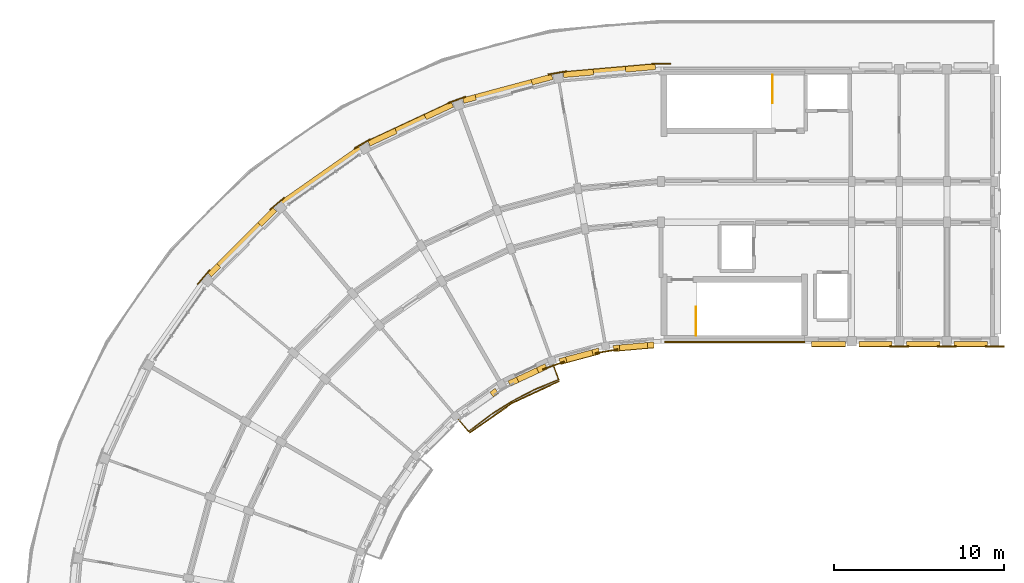
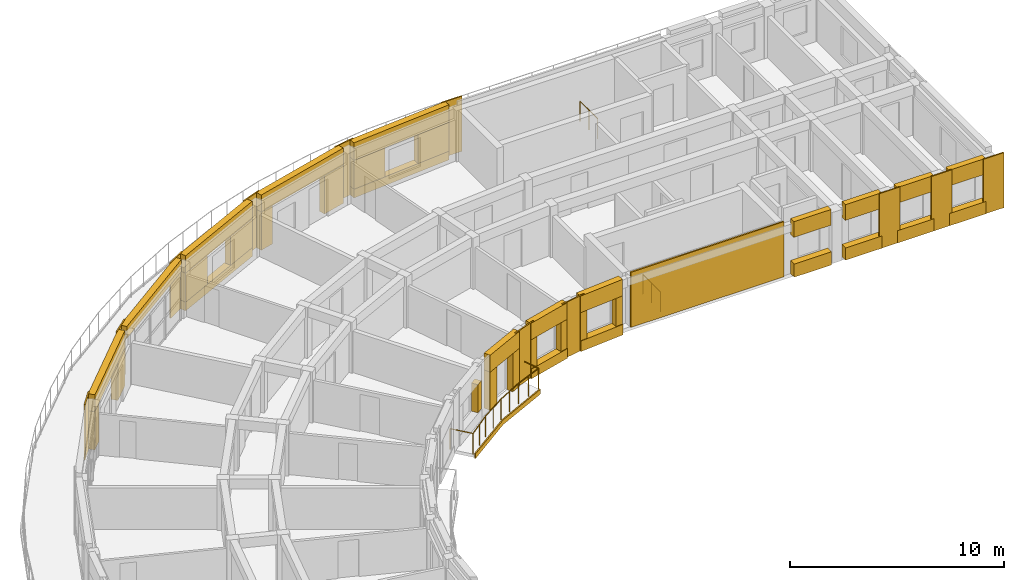
# One storey, part 13 of 14: 48 coverings, 3 railings.
"""IFC4 building model written with IfcOpenShell, lengths in metres."""

import ifcopenshell
import ifcopenshell.guid

model = None  # the IFC model being written
_history = None  # IfcOwnerHistory: only IFC2X3 demands one
_inside = {}  # id of a spatial element -> (the spatial element, [elements in it])
_under = {}  # id of a project, library or spatial element -> (it, [spatial elements below it])
_declared = {}  # id of a project -> (the project, [libraries it declares])
_typed = {}  # id of a type object -> (the type object, [elements of that type])
_made_of = {}  # id of a material, layer set ... -> (it, [elements and type objects made of it])


def new_model(schema):
    """Start an empty IFC model of exactly this schema.

    Asked for "IFC4X3", IfcOpenShell would pick the latest addendum, in which some entities
    have other attributes; the version numbers below select the first issue.
    IFC2X3 requires an IfcOwnerHistory on every rooted entity: one is made here for all.
    """
    global model, _history
    if schema == "IFC4X3":
        model = ifcopenshell.file(schema_version=(4, 3, 0, 0))
    else:
        model = ifcopenshell.file(schema=schema)
    _inside.clear()
    _under.clear()
    _declared.clear()
    _typed.clear()
    _made_of.clear()
    _history = None
    if model.schema == "IFC2X3":
        org = make("IfcOrganization", Name="unknown")
        user = make(
            "IfcPersonAndOrganization",
            ThePerson=make("IfcPerson", FamilyName="unknown"),
            TheOrganization=org,
        )
        app = make(
            "IfcApplication",
            ApplicationDeveloper=org,
            Version="unknown",
            ApplicationFullName="unknown",
            ApplicationIdentifier="unknown",
        )
        _history = make(
            "IfcOwnerHistory",
            OwningUser=user,
            OwningApplication=app,
            ChangeAction="ADDED",
            CreationDate=0,
        )
    return model


def make(cls, **values):
    """One entity of the class cls with the attributes given. An attribute that is None is left unset."""
    return model.create_entity(
        cls, **{name: value for name, value in values.items() if value is not None}
    )


def rooted(cls, **values):
    """An entity with a GlobalId (a new one), such as an element, a storey or a relation."""
    return make(cls, GlobalId=ifcopenshell.guid.new(), OwnerHistory=_history, **values)


def si_unit(unit_type, name, prefix=None):
    """IfcSIUnit, for example si_unit("LENGTHUNIT", "METRE", prefix="MILLI")."""
    return make("IfcSIUnit", UnitType=unit_type, Prefix=prefix, Name=name)


def assignment(units):
    """IfcUnitAssignment: the units of a project."""
    return None if units is None else make("IfcUnitAssignment", Units=units)


def point(xyz):
    """IfcCartesianPoint."""
    return None if xyz is None else make("IfcCartesianPoint", Coordinates=xyz)


def direction(xyz):
    """IfcDirection."""
    return None if xyz is None else make("IfcDirection", DirectionRatios=xyz)


def frame(location, z_axis=None, x_axis=None):
    """IfcAxis2Placement3D, a coordinate frame: its origin and axes. An axis left out is left unset."""
    return make(
        "IfcAxis2Placement3D",
        Location=point(location),
        Axis=direction(z_axis),
        RefDirection=direction(x_axis),
    )


def frame_2d(location, x_axis=None):
    """IfcAxis2Placement2D, a coordinate frame in the plane: its origin and x axis."""
    return make(
        "IfcAxis2Placement2D", Location=point(location), RefDirection=direction(x_axis)
    )


def origin():
    """The frame at (0, 0, 0) with its axes left unset."""
    return frame((0.0, 0.0, 0.0))


def origin_2d():
    """The frame at (0, 0) in the plane with its x axis left unset."""
    return frame_2d((0.0, 0.0))


def place(relative_to, where):
    """IfcLocalPlacement: puts the frame where relative to a parent placement (None: the world)."""
    return make(
        "IfcLocalPlacement", PlacementRelTo=relative_to, RelativePlacement=where
    )


def context(
    kind, dimensions, precision=None, world=None, true_north=None, identifier=None
):
    """IfcGeometricRepresentationContext, for example the 3D "Model" context."""
    return make(
        "IfcGeometricRepresentationContext",
        ContextIdentifier=identifier,
        ContextType=kind,
        CoordinateSpaceDimension=dimensions,
        Precision=precision,
        WorldCoordinateSystem=world,
        TrueNorth=true_north,
    )


def subcontext(parent, identifier, kind, view, scale=None):
    """IfcGeometricRepresentationSubContext, for example "Body" below "Model"."""
    return make(
        "IfcGeometricRepresentationSubContext",
        ContextIdentifier=identifier,
        ContextType=kind,
        ParentContext=parent,
        TargetScale=scale,
        TargetView=view,
    )


def project(units=None, contexts=None):
    """IfcProject with its units and contexts."""
    return rooted(
        "IfcProject",
        Name="project",
        RepresentationContexts=contexts,
        UnitsInContext=assignment(units),
    )


def spatial(cls, under=None, at=None, **own):
    """A site, building, storey or space (cls), placed at a placement, below another one or the project."""
    s = rooted(cls, ObjectPlacement=at, **own)
    if under is not None:
        _under.setdefault(under.id(), (under, []))[1].append(s)
    return s


def polyline(points):
    """IfcPolyline through the points."""
    return make("IfcPolyline", Points=[point(p) for p in points])


def profile(cls, at=None, kind="AREA", **sizes):
    """A parametric profile (cls). Its sizes go by their IFC names, for example OverallWidth=200.0."""
    return make(cls, ProfileType=kind, Position=at, **sizes)


def circle(**sizes):
    """IfcCircleProfileDef."""
    return profile("IfcCircleProfileDef", **sizes)


def outline(outer, holes=None, kind="AREA"):
    """IfcArbitraryClosedProfileDef: a profile drawn as a closed curve; with holes, ...WithVoids."""
    if holes is None:
        return make("IfcArbitraryClosedProfileDef", ProfileType=kind, OuterCurve=outer)
    return make(
        "IfcArbitraryProfileDefWithVoids",
        ProfileType=kind,
        OuterCurve=outer,
        InnerCurves=holes,
    )


def extrude(swept, where, along, depth):
    """IfcExtrudedAreaSolid: the profile swept, set in the frame where, extruded along a direction by depth."""
    return make(
        "IfcExtrudedAreaSolid",
        SweptArea=swept,
        Position=where,
        ExtrudedDirection=direction(along),
        Depth=depth,
    )


def shape(context_of_items, identifier, shape_type, items):
    """IfcShapeRepresentation: the items that make up one representation, for example the "Body"."""
    return make(
        "IfcShapeRepresentation",
        ContextOfItems=context_of_items,
        RepresentationIdentifier=identifier,
        RepresentationType=shape_type,
        Items=items,
    )


def material(Name=None, Category=None):
    """IfcMaterial."""
    return make("IfcMaterial", Name=Name, Category=Category)


def layer(
    of_material, thickness, ventilated=None, Name=None, Category=None, Priority=None
):
    """IfcMaterialLayer: one layer of a wall or slab, of a material (None: an air gap)."""
    return make(
        "IfcMaterialLayer",
        Material=of_material,
        LayerThickness=thickness,
        IsVentilated=ventilated,
        Name=Name,
        Category=Category,
        Priority=Priority,
    )


def layer_set(layers, Name=None):
    """IfcMaterialLayerSet."""
    return make("IfcMaterialLayerSet", MaterialLayers=layers, LayerSetName=Name)


def made_of(thing, what):
    """Note that an element or type object is made of a material, layer set ...; save() writes the relation."""
    if what is not None:
        _made_of.setdefault(what.id(), (what, []))[1].append(thing)
    return thing


def type_object(cls, material=None, **own):
    """A type object (cls), such as IfcWallType, which elements share."""
    return made_of(rooted(cls, **own), material)


def element(
    cls,
    number,
    at=None,
    inside=None,
    cuts=None,
    type_object=None,
    material=None,
    context=None,
    identifier="Body",
    shape_type=None,
    held_by="IfcProductDefinitionShape",
    body=None,
    shapes=None,
    **own,
):
    """One element of the class cls, such as IfcWall. Its Tag is "e" and its number.

    at: its placement. inside: the storey or other place that contains it. cuts: it is an
    opening in that element (IfcRelVoidsElement). A single representation is given by context,
    identifier, shape_type and body (its items); several are given by shapes. held_by: the class
    of the entity that holds the representations. save() writes the other relations.
    """
    e = rooted(cls, Tag="e%d" % number, ObjectPlacement=at, **own)
    if body is not None:
        shapes = [shape(context, identifier, shape_type, body)]
    if shapes is not None:
        e.Representation = make(held_by, Representations=shapes)
    if inside is not None:
        _inside.setdefault(inside.id(), (inside, []))[1].append(e)
    if cuts is not None:
        rooted(
            "IfcRelVoidsElement", RelatingBuildingElement=cuts, RelatedOpeningElement=e
        )
    if type_object is not None:
        _typed.setdefault(type_object.id(), (type_object, []))[1].append(e)
    return made_of(e, material)


def aggregate(whole, parts):
    """IfcRelAggregates: a whole, such as a stair, and the parts it consists of."""
    return rooted("IfcRelAggregates", RelatingObject=whole, RelatedObjects=parts)


def save(model, path):
    """Write the relations noted so far, then the file.

    IfcRelAggregates (storeys below a building ...), IfcRelContainedInSpatialStructure (elements
    in a storey), IfcRelDefinesByType, IfcRelAssociatesMaterial and IfcRelDeclares: one each for
    every whole, place, type object, material and project.
    """
    for whole, parts in _under.values():
        aggregate(whole, parts)
    for where, things in _inside.values():
        rooted(
            "IfcRelContainedInSpatialStructure",
            RelatedElements=things,
            RelatingStructure=where,
        )
    for kind, things in _typed.values():
        rooted("IfcRelDefinesByType", RelatedObjects=things, RelatingType=kind)
    for what, things in _made_of.values():
        rooted("IfcRelAssociatesMaterial", RelatedObjects=things, RelatingMaterial=what)
    for by, libraries in _declared.values():
        rooted("IfcRelDeclares", RelatingContext=by, RelatedDefinitions=libraries)
    model.write(path)


model = new_model("IFC4")

# Units and contexts
model_context = context("Model", 3, precision=1e-05, world=origin(), true_north=direction((0.0, 1.0)))
body_context = subcontext(model_context, "Body", "Model", "MODEL_VIEW")
ifc_project = project(units=[si_unit("LENGTHUNIT", "METRE"), si_unit("AREAUNIT", "SQUARE_METRE"), si_unit("VOLUMEUNIT", "CUBIC_METRE"), si_unit("PLANEANGLEUNIT", "RADIAN"), si_unit("MASSUNIT", "GRAM", prefix="KILO")], contexts=[model_context])

# Site, building, storey
site_placement = place(None, origin())
site = spatial("IfcSite", under=ifc_project, at=site_placement, CompositionType="ELEMENT")
building_placement = place(site_placement, origin())
building = spatial("IfcBuilding", under=site, at=building_placement, Name="Kiranvali Square Residences", CompositionType="ELEMENT")
storey_placement = place(building_placement, frame((0.0, 0.0, 49.64990234375)))
storey = spatial("IfcBuildingStorey", under=building, at=storey_placement, Name="L15", CompositionType="ELEMENT", Elevation=49.64990234375)

# Coverings
ifc_material_1 = material(Name="Carved Porbandar limestone classical entablature and cornice", Category="masonry")
ifc_layer_1 = layer(ifc_material_1, 0.06201171875)
ifc_layer_set_1 = layer_set([ifc_layer_1], Name="Carved Porbandar limestone classical entablature and cornice")
covering_type_1 = type_object("IfcCoveringType", Name="COV-CLAD-GBAL", PredefinedType="CLADDING", material=ifc_layer_set_1)
covering_1_placement = place(storey_placement, frame((0.0, 0.0, -0.219970703125)))
element("IfcCovering", 1, at=covering_1_placement, inside=storey, type_object=covering_type_1, Name="Block A L15 garden balcony limestone fascia 1", PredefinedType="CLADDING", context=body_context, shape_type="SweptSolid", body=[
    extrude(outline(polyline([(42.1982421875, 104.289794921875), (39.426025390625, 102.9970703125), (36.92041015625, 101.242431640625), (36.964111328125, 101.1904296875), (39.4599609375, 102.938232421875), (42.221435546875, 104.225830078125), (42.1982421875, 104.289794921875)])), origin(), (0.0, 0.0, 1.0), 0.27001953125),
])
ifc_material_2 = material(Name="Honed Porbandar limestone ashlar facade cladding", Category="masonry")
ifc_layer_2 = layer(ifc_material_2, 0.3798828125)
ifc_layer_set_2 = layer_set([ifc_layer_2], Name="Honed Porbandar limestone ashlar facade cladding")
covering_type_2 = type_object("IfcCoveringType", Name="COV-CLAD-JAMB", PredefinedType="CLADDING", material=ifc_layer_set_2)
covering_2_placement = place(storey_placement, frame((0.0, 0.0, 0.502197265625)))
element("IfcCovering", 2, at=covering_2_placement, inside=storey, type_object=covering_type_2, Name="L15 deep limestone window jamb reveal A-L15-CRV-00.L", PredefinedType="CLADDING", context=body_context, shape_type="SweptSolid", body=[
    extrude(outline(polyline([(47.846923828125, 122.905517578125), (46.095703125, 122.752197265625), (46.124755859375, 122.4189453125), (47.876220703125, 122.572265625), (47.846923828125, 122.905517578125)])), origin(), (0.0, 0.0, 1.0), 1.64990234375),
])
covering_3_placement = place(storey_placement, frame((0.0, 0.0, 0.502197265625)))
element("IfcCovering", 3, at=covering_3_placement, inside=storey, type_object=covering_type_2, Name="L15 deep limestone window jamb reveal A-L15-CRV-00.R", PredefinedType="CLADDING", context=body_context, shape_type="SweptSolid", body=[
    extrude(outline(polyline([(44.202880859375, 122.586669921875), (42.45166015625, 122.433349609375), (42.480712890625, 122.10009765625), (44.232177734375, 122.25341796875), (44.202880859375, 122.586669921875)])), origin(), (0.0, 0.0, 1.0), 1.64990234375),
])
covering_4_placement = place(storey_placement, origin())
element("IfcCovering", 4, at=covering_4_placement, inside=storey, type_object=covering_type_2, Name="L15 deep limestone window jamb reveal A-L15-CRV-01.L", PredefinedType="CLADDING", context=body_context, shape_type="SweptSolid", body=[
    extrude(outline(polyline([(41.75634765625, 122.310791015625), (40.55322265625, 121.98828125), (40.639892578125, 121.665283203125), (41.843017578125, 121.98779296875), (41.75634765625, 122.310791015625)])), origin(), (0.0, 0.0, 1.0), 2.18017578125),
])
covering_5_placement = place(storey_placement, origin())
element("IfcCovering", 5, at=covering_5_placement, inside=storey, type_object=covering_type_2, Name="L15 deep limestone window jamb reveal A-L15-CRV-01.R", PredefinedType="CLADDING", context=body_context, shape_type="SweptSolid", body=[
    extrude(outline(polyline([(37.25732421875, 121.105224609375), (36.52490234375, 120.908935546875), (36.611572265625, 120.5859375), (37.34375, 120.7822265625), (37.25732421875, 121.105224609375)])), origin(), (0.0, 0.0, 1.0), 2.18017578125),
])
covering_6_placement = place(storey_placement, frame((0.0, 0.0, 0.502197265625)))
element("IfcCovering", 6, at=covering_6_placement, inside=storey, type_object=covering_type_2, Name="L15 deep limestone window jamb reveal A-L15-CRV-02.L", PredefinedType="CLADDING", context=body_context, shape_type="SweptSolid", body=[
    extrude(outline(polyline([(35.861572265625, 120.66748046875), (34.268310546875, 119.924560546875), (34.40966796875, 119.621337890625), (36.0029296875, 120.364501953125), (35.861572265625, 120.66748046875)])), origin(), (0.0, 0.0, 1.0), 1.64990234375),
])
covering_7_placement = place(storey_placement, frame((0.0, 0.0, 0.502197265625)))
element("IfcCovering", 7, at=covering_7_placement, inside=storey, type_object=covering_type_2, Name="L15 deep limestone window jamb reveal A-L15-CRV-02.R", PredefinedType="CLADDING", context=body_context, shape_type="SweptSolid", body=[
    extrude(outline(polyline([(32.54638671875, 119.12158203125), (30.952880859375, 118.378662109375), (31.09423828125, 118.075439453125), (32.687744140625, 118.818359375), (32.54638671875, 119.12158203125)])), origin(), (0.0, 0.0, 1.0), 1.64990234375),
])
covering_8_placement = place(storey_placement, origin())
element("IfcCovering", 8, at=covering_8_placement, inside=storey, type_object=covering_type_2, Name="L15 deep limestone window jamb reveal A-L15-CRV-04.L", PredefinedType="CLADDING", context=body_context, shape_type="SweptSolid", body=[
    extrude(outline(polyline([(25.3642578125, 114.46533203125), (24.4833984375, 113.584716796875), (24.719970703125, 113.34814453125), (25.600830078125, 114.22900390625), (25.3642578125, 114.46533203125)])), origin(), (0.0, 0.0, 1.0), 2.18017578125),
])
covering_9_placement = place(storey_placement, origin())
element("IfcCovering", 9, at=covering_9_placement, inside=storey, type_object=covering_type_2, Name="L15 deep limestone window jamb reveal A-L15-CRV-04.R", PredefinedType="CLADDING", context=body_context, shape_type="SweptSolid", body=[
    extrude(outline(polyline([(22.07080078125, 111.171875), (21.53466796875, 110.6357421875), (21.77099609375, 110.399169921875), (22.30712890625, 110.935302734375), (22.07080078125, 111.171875)])), origin(), (0.0, 0.0, 1.0), 2.18017578125),
])
covering_10_placement = place(storey_placement, frame((0.0, 0.0, 0.60205078125)))
element("IfcCovering", 10, at=covering_10_placement, inside=storey, type_object=covering_type_2, Name="L15 deep limestone window jamb reveal A-L15-GDN-00.L", PredefinedType="CLADDING", context=body_context, shape_type="SweptSolid", body=[
    extrude(outline(polyline([(47.76171875, 106.56103515625), (47.3896484375, 106.528564453125), (47.419189453125, 106.1904296875), (47.791259765625, 106.222900390625), (47.76171875, 106.56103515625)])), origin(), (0.0, 0.0, 1.0), 1.60009765625),
])
covering_11_placement = place(storey_placement, frame((0.0, 0.0, 0.60205078125)))
element("IfcCovering", 11, at=covering_11_placement, inside=storey, type_object=covering_type_2, Name="L15 deep limestone window jamb reveal A-L15-GDN-00.R", PredefinedType="CLADDING", context=body_context, shape_type="SweptSolid", body=[
    extrude(outline(polyline([(45.745849609375, 106.384765625), (45.373779296875, 106.352294921875), (45.4033203125, 106.013916015625), (45.775390625, 106.046630859375), (45.745849609375, 106.384765625)])), origin(), (0.0, 0.0, 1.0), 1.60009765625),
])
covering_12_placement = place(storey_placement, frame((0.0, 0.0, 0.552001953125)))
element("IfcCovering", 12, at=covering_12_placement, inside=storey, type_object=covering_type_2, Name="L15 deep limestone window jamb reveal A-L15-GDN-01.L", PredefinedType="CLADDING", context=body_context, shape_type="SweptSolid", body=[
    extrude(outline(polyline([(44.510498046875, 106.199951171875), (44.12548828125, 106.096923828125), (44.21337890625, 105.76904296875), (44.598388671875, 105.8720703125), (44.510498046875, 106.199951171875)])), origin(), (0.0, 0.0, 1.0), 1.650146484375),
])
covering_13_placement = place(storey_placement, frame((0.0, 0.0, 0.552001953125)))
element("IfcCovering", 13, at=covering_13_placement, inside=storey, type_object=covering_type_2, Name="L15 deep limestone window jamb reveal A-L15-GDN-01.R", PredefinedType="CLADDING", context=body_context, shape_type="SweptSolid", body=[
    extrude(outline(polyline([(42.580078125, 105.682861328125), (42.195068359375, 105.57958984375), (42.282958984375, 105.251708984375), (42.66796875, 105.354736328125), (42.580078125, 105.682861328125)])), origin(), (0.0, 0.0, 1.0), 1.650146484375),
])
covering_14_placement = place(storey_placement, origin())
element("IfcCovering", 14, at=covering_14_placement, inside=storey, type_object=covering_type_2, Name="L15 deep limestone window jamb reveal A-L15-GDN-02.L", PredefinedType="CLADDING", context=body_context, shape_type="SweptSolid", body=[
    extrude(outline(polyline([(41.37158203125, 105.27978515625), (40.874267578125, 105.048095703125), (41.017822265625, 104.740234375), (41.514892578125, 104.97216796875), (41.37158203125, 105.27978515625)])), origin(), (0.0, 0.0, 1.0), 2.18017578125),
])
covering_15_placement = place(storey_placement, origin())
element("IfcCovering", 15, at=covering_15_placement, inside=storey, type_object=covering_type_2, Name="L15 deep limestone window jamb reveal A-L15-GDN-02.R", PredefinedType="CLADDING", context=body_context, shape_type="SweptSolid", body=[
    extrude(outline(polyline([(39.696044921875, 104.49853515625), (39.198974609375, 104.266845703125), (39.342529296875, 103.958984375), (39.839599609375, 104.19091796875), (39.696044921875, 104.49853515625)])), origin(), (0.0, 0.0, 1.0), 2.18017578125),
])
covering_16_placement = place(storey_placement, frame((0.0, 0.0, 0.60205078125)))
element("IfcCovering", 16, at=covering_16_placement, inside=storey, type_object=covering_type_2, Name="L15 deep limestone window jamb reveal A-L15-GDN-03.L", PredefinedType="CLADDING", context=body_context, shape_type="SweptSolid", body=[
    extrude(outline(polyline([(38.43994140625, 103.828369140625), (38.1337890625, 103.6142578125), (38.32861328125, 103.336181640625), (38.634521484375, 103.55029296875), (38.43994140625, 103.828369140625)])), origin(), (0.0, 0.0, 1.0), 1.60009765625),
])
ifc_layer_3 = layer(ifc_material_2, 0.06494140625)
ifc_layer_set_3 = layer_set([ifc_layer_3], Name="Honed Porbandar limestone ashlar facade cladding")
covering_type_3 = type_object("IfcCoveringType", Name="COV-CLAD-PIER", PredefinedType="CLADDING", material=ifc_layer_set_3)
covering_17_placement = place(storey_placement, frame((0.0, 0.0, 0.005126953125)))
element("IfcCovering", 17, at=covering_17_placement, inside=storey, type_object=covering_type_3, Name="L15 Classical limestone corner pilaster CLAD-PR-A-L15-A00", PredefinedType="CLADDING", context=body_context, shape_type="SweptSolid", body=[
    extrude(outline(polyline([(48.7548828125, 122.943115234375), (47.64501953125, 122.943115234375), (47.64501953125, 122.87548828125), (48.7548828125, 122.87548828125), (48.7548828125, 122.943115234375)])), origin(), (0.0, 0.0, 1.0), 3.139892578125),
])
covering_18_placement = place(storey_placement, frame((0.0, 0.0, 0.005126953125)))
element("IfcCovering", 18, at=covering_18_placement, inside=storey, type_object=covering_type_3, Name="L15 Classical limestone corner pilaster CLAD-PR-A-L15-A01", PredefinedType="CLADDING", context=body_context, shape_type="SweptSolid", body=[
    extrude(outline(polyline([(42.64404296875, 122.50537109375), (41.551025390625, 122.312744140625), (41.562744140625, 122.246337890625), (42.65576171875, 122.43896484375), (42.64404296875, 122.50537109375)])), origin(), (0.0, 0.0, 1.0), 3.139892578125),
])
covering_19_placement = place(storey_placement, frame((0.0, 0.0, 0.005126953125)))
element("IfcCovering", 19, at=covering_19_placement, inside=storey, type_object=covering_type_3, Name="L15 Classical limestone corner pilaster CLAD-PR-A-L15-A02", PredefinedType="CLADDING", context=body_context, shape_type="SweptSolid", body=[
    extrude(outline(polyline([(36.701904296875, 121.013427734375), (35.658935546875, 120.6337890625), (35.681884765625, 120.5703125), (36.72509765625, 120.949951171875), (36.701904296875, 121.013427734375)])), origin(), (0.0, 0.0, 1.0), 3.139892578125),
])
covering_20_placement = place(storey_placement, frame((0.0, 0.0, 0.005126953125)))
element("IfcCovering", 20, at=covering_20_placement, inside=storey, type_object=covering_type_3, Name="L15 Classical limestone corner pilaster CLAD-PR-A-L15-A03", PredefinedType="CLADDING", context=body_context, shape_type="SweptSolid", body=[
    extrude(outline(polyline([(31.109130859375, 118.51220703125), (30.14794921875, 117.957275390625), (30.181640625, 117.898681640625), (31.142822265625, 118.453857421875), (31.109130859375, 118.51220703125)])), origin(), (0.0, 0.0, 1.0), 3.139892578125),
])
covering_21_placement = place(storey_placement, frame((0.0, 0.0, 0.005126953125)))
element("IfcCovering", 21, at=covering_21_placement, inside=storey, type_object=covering_type_3, Name="L15 Classical limestone corner pilaster CLAD-PR-A-L15-A04", PredefinedType="CLADDING", context=body_context, shape_type="SweptSolid", body=[
    extrude(outline(polyline([(26.03564453125, 115.077880859375), (25.185302734375, 114.3642578125), (25.228759765625, 114.312744140625), (26.0791015625, 115.026123046875), (26.03564453125, 115.077880859375)])), origin(), (0.0, 0.0, 1.0), 3.139892578125),
])
covering_22_placement = place(storey_placement, frame((0.0, 0.0, 0.005126953125)))
element("IfcCovering", 22, at=covering_22_placement, inside=storey, type_object=covering_type_3, Name="L15 Classical limestone corner pilaster CLAD-PR-A-L15-A05", PredefinedType="CLADDING", context=body_context, shape_type="SweptSolid", body=[
    extrude(outline(polyline([(21.6357421875, 110.814697265625), (20.922119140625, 109.96435546875), (20.973876953125, 109.9208984375), (21.687255859375, 110.771240234375), (21.6357421875, 110.814697265625)])), origin(), (0.0, 0.0, 1.0), 3.139892578125),
])
covering_23_placement = place(storey_placement, frame((0.0, 0.0, 0.005126953125)))
element("IfcCovering", 23, at=covering_23_placement, inside=storey, type_object=covering_type_3, Name="Block A L15 garden stair limestone ashlar cladding", PredefinedType="CLADDING", context=body_context, shape_type="SweptSolid", body=[
    extrude(outline(polyline([(48.39990234375, 106.52001953125), (56.64990234375, 106.52001953125), (56.64990234375, 106.597900390625), (48.39990234375, 106.597900390625), (48.39990234375, 106.52001953125)])), origin(), (0.0, 0.0, 1.0), 3.139892578125),
])
ifc_layer_4 = layer(ifc_material_2, 0.050048828125)
ifc_layer_set_4 = layer_set([ifc_layer_4], Name="Honed Porbandar limestone ashlar facade cladding")
covering_type_4 = type_object("IfcCoveringType", Name="COV-CLAD-PIER-IN", PredefinedType="CLADDING", material=ifc_layer_set_4)
covering_24_placement = place(storey_placement, frame((0.0, 0.0, 0.005126953125)))
element("IfcCovering", 24, at=covering_24_placement, inside=storey, type_object=covering_type_4, Name="L15 Classical garden courtyard pilaster CLAD-PRIN-A-L15-A01", PredefinedType="CLADDING", context=body_context, shape_type="SweptSolid", body=[
    extrude(outline(polyline([(44.330322265625, 105.859375), (45.65966796875, 106.09375), (45.64794921875, 106.160400390625), (44.318603515625, 105.92578125), (44.330322265625, 105.859375)])), origin(), (0.0, 0.0, 1.0), 3.139892578125),
])
covering_25_placement = place(storey_placement, frame((0.0, 0.0, 0.005126953125)))
element("IfcCovering", 25, at=covering_25_placement, inside=storey, type_object=covering_type_4, Name="L15 Classical garden courtyard pilaster CLAD-PRIN-A-L15-A02", PredefinedType="CLADDING", context=body_context, shape_type="SweptSolid", body=[
    extrude(outline(polyline([(41.2529296875, 104.9130859375), (42.521728515625, 105.374755859375), (42.49853515625, 105.438232421875), (41.22998046875, 104.9765625), (41.2529296875, 104.9130859375)])), origin(), (0.0, 0.0, 1.0), 3.139892578125),
])
covering_26_placement = place(storey_placement, frame((0.0, 0.0, 0.005126953125)))
element("IfcCovering", 26, at=covering_26_placement, inside=storey, type_object=covering_type_4, Name="L15 Classical limestone pilaster casing CLAD-PRA1I-A-L15-U140", PredefinedType="CLADDING", context=body_context, shape_type="SweptSolid", body=[
    extrude(outline(polyline([(61.64501953125, 106.257080078125), (62.7548828125, 106.257080078125), (62.7548828125, 106.324462890625), (61.64501953125, 106.324462890625), (61.64501953125, 106.257080078125)])), origin(), (0.0, 0.0, 1.0), 3.139892578125),
])
covering_27_placement = place(storey_placement, frame((0.0, 0.0, 0.005126953125)))
element("IfcCovering", 27, at=covering_27_placement, inside=storey, type_object=covering_type_4, Name="L15 Classical limestone pilaster casing CLAD-PRA1I-A-L15-U167", PredefinedType="CLADDING", context=body_context, shape_type="SweptSolid", body=[
    extrude(outline(polyline([(64.445068359375, 106.257080078125), (65.554931640625, 106.257080078125), (65.554931640625, 106.324462890625), (64.445068359375, 106.324462890625), (64.445068359375, 106.257080078125)])), origin(), (0.0, 0.0, 1.0), 3.139892578125),
])
covering_28_placement = place(storey_placement, frame((0.0, 0.0, 0.005126953125)))
element("IfcCovering", 28, at=covering_28_placement, inside=storey, type_object=covering_type_4, Name="L15 Classical limestone pilaster casing CLAD-PRA1I-A-L15-U195", PredefinedType="CLADDING", context=body_context, shape_type="SweptSolid", body=[
    extrude(outline(polyline([(67.2451171875, 106.257080078125), (68.35498046875, 106.257080078125), (68.35498046875, 106.324462890625), (67.2451171875, 106.324462890625), (67.2451171875, 106.257080078125)])), origin(), (0.0, 0.0, 1.0), 3.139892578125),
])
ifc_layer_5 = layer(ifc_material_2, 0.360107421875)
ifc_layer_set_5 = layer_set([ifc_layer_5], Name="Honed Porbandar limestone ashlar facade cladding")
covering_type_5 = type_object("IfcCoveringType", Name="COV-CLAD-WALL", PredefinedType="CLADDING", material=ifc_layer_set_5)
covering_29_placement = place(storey_placement, frame((0.0, 0.0, 2.152099609375)))
element("IfcCovering", 29, at=covering_29_placement, inside=storey, type_object=covering_type_5, Name="L15 light limestone spandrel lintel A-L15-CRV-00", PredefinedType="CLADDING", context=body_context, shape_type="SweptSolid", body=[
    extrude(outline(polyline([(47.846923828125, 122.905517578125), (42.45166015625, 122.433349609375), (42.480712890625, 122.10009765625), (47.876220703125, 122.572265625), (47.846923828125, 122.905517578125)])), origin(), (0.0, 0.0, 1.0), 0.992919921875),
])
covering_30_placement = place(storey_placement, frame((0.0, 0.0, 2.18017578125)))
element("IfcCovering", 30, at=covering_30_placement, inside=storey, type_object=covering_type_5, Name="L15 light limestone spandrel lintel A-L15-CRV-01", PredefinedType="CLADDING", context=body_context, shape_type="SweptSolid", body=[
    extrude(outline(polyline([(41.75634765625, 122.310791015625), (36.52490234375, 120.908935546875), (36.611572265625, 120.5859375), (41.843017578125, 121.98779296875), (41.75634765625, 122.310791015625)])), origin(), (0.0, 0.0, 1.0), 0.96484375),
])
covering_31_placement = place(storey_placement, frame((0.0, 0.0, 2.152099609375)))
element("IfcCovering", 31, at=covering_31_placement, inside=storey, type_object=covering_type_5, Name="L15 light limestone spandrel lintel A-L15-CRV-02", PredefinedType="CLADDING", context=body_context, shape_type="SweptSolid", body=[
    extrude(outline(polyline([(35.861572265625, 120.66748046875), (30.952880859375, 118.378662109375), (31.09423828125, 118.075439453125), (36.0029296875, 120.364501953125), (35.861572265625, 120.66748046875)])), origin(), (0.0, 0.0, 1.0), 0.992919921875),
])
covering_32_placement = place(storey_placement, frame((0.0, 0.0, 2.460205078125)))
element("IfcCovering", 32, at=covering_32_placement, inside=storey, type_object=covering_type_5, Name="Block A L15 limestone terrace header 4", PredefinedType="CLADDING", context=body_context, shape_type="SweptSolid", body=[
    extrude(outline(polyline([(30.60791015625, 118.212158203125), (25.638916015625, 114.732666015625), (25.829833984375, 114.4599609375), (30.798828125, 117.939208984375), (30.60791015625, 118.212158203125)])), origin(), (0.0, 0.0, 1.0), 0.684814453125),
])
covering_33_placement = place(storey_placement, frame((0.0, 0.0, 2.18017578125)))
element("IfcCovering", 33, at=covering_33_placement, inside=storey, type_object=covering_type_5, Name="L15 light limestone spandrel lintel A-L15-CRV-04", PredefinedType="CLADDING", context=body_context, shape_type="SweptSolid", body=[
    extrude(outline(polyline([(25.3642578125, 114.46533203125), (21.53466796875, 110.6357421875), (21.77099609375, 110.399169921875), (25.600830078125, 114.22900390625), (25.3642578125, 114.46533203125)])), origin(), (0.0, 0.0, 1.0), 0.96484375),
])
covering_34_placement = place(storey_placement, frame((0.0, 0.0, 2.2021484375)))
element("IfcCovering", 34, at=covering_34_placement, inside=storey, type_object=covering_type_5, Name="L15 light limestone spandrel lintel A-L15-GDN-00", PredefinedType="CLADDING", context=body_context, shape_type="SweptSolid", body=[
    extrude(outline(polyline([(47.76171875, 106.56103515625), (45.373779296875, 106.352294921875), (45.4033203125, 106.013916015625), (47.791259765625, 106.222900390625), (47.76171875, 106.56103515625)])), origin(), (0.0, 0.0, 1.0), 0.94287109375),
])
covering_35_placement = place(storey_placement, frame((0.0, 0.0, 2.2021484375)))
element("IfcCovering", 35, at=covering_35_placement, inside=storey, type_object=covering_type_5, Name="L15 light limestone spandrel lintel A-L15-GDN-01", PredefinedType="CLADDING", context=body_context, shape_type="SweptSolid", body=[
    extrude(outline(polyline([(44.510498046875, 106.199951171875), (42.195068359375, 105.57958984375), (42.282958984375, 105.251708984375), (44.598388671875, 105.8720703125), (44.510498046875, 106.199951171875)])), origin(), (0.0, 0.0, 1.0), 0.94287109375),
])
covering_36_placement = place(storey_placement, frame((0.0, 0.0, 2.18017578125)))
element("IfcCovering", 36, at=covering_36_placement, inside=storey, type_object=covering_type_5, Name="L15 light limestone spandrel lintel A-L15-GDN-02", PredefinedType="CLADDING", context=body_context, shape_type="SweptSolid", body=[
    extrude(outline(polyline([(41.37158203125, 105.27978515625), (39.198974609375, 104.266845703125), (39.342529296875, 103.958984375), (41.514892578125, 104.97216796875), (41.37158203125, 105.27978515625)])), origin(), (0.0, 0.0, 1.0), 0.96484375),
])
covering_37_placement = place(storey_placement, frame((0.0, 0.0, 2.252197265625)))
element("IfcCovering", 37, at=covering_37_placement, inside=storey, type_object=covering_type_5, Name="L15 light limestone spandrel lintel A-L15-A1IN-0", PredefinedType="CLADDING", context=body_context, shape_type="SweptSolid", body=[
    extrude(outline(polyline([(57.050048828125, 106.280029296875), (59.050048828125, 106.280029296875), (59.050048828125, 106.599609375), (57.050048828125, 106.599609375), (57.050048828125, 106.280029296875)])), origin(), (0.0, 0.0, 1.0), 0.892822265625),
])
covering_38_placement = place(storey_placement, frame((0.0, 0.0, 2.252197265625)))
element("IfcCovering", 38, at=covering_38_placement, inside=storey, type_object=covering_type_5, Name="L15 light limestone spandrel lintel A-L15-A1I-0", PredefinedType="CLADDING", context=body_context, shape_type="SweptSolid", body=[
    extrude(outline(polyline([(59.820068359375, 106.280029296875), (61.780029296875, 106.280029296875), (61.780029296875, 106.599609375), (59.820068359375, 106.599609375), (59.820068359375, 106.280029296875)])), origin(), (0.0, 0.0, 1.0), 0.892822265625),
])
covering_39_placement = place(storey_placement, frame((0.0, 0.0, 2.252197265625)))
element("IfcCovering", 39, at=covering_39_placement, inside=storey, type_object=covering_type_5, Name="L15 light limestone spandrel lintel A-L15-A1I-1", PredefinedType="CLADDING", context=body_context, shape_type="SweptSolid", body=[
    extrude(outline(polyline([(62.6201171875, 106.280029296875), (64.580078125, 106.280029296875), (64.580078125, 106.599609375), (62.6201171875, 106.599609375), (62.6201171875, 106.280029296875)])), origin(), (0.0, 0.0, 1.0), 0.892822265625),
])
covering_40_placement = place(storey_placement, frame((0.0, 0.0, 2.252197265625)))
element("IfcCovering", 40, at=covering_40_placement, inside=storey, type_object=covering_type_5, Name="L15 light limestone spandrel lintel A-L15-A1I-2", PredefinedType="CLADDING", context=body_context, shape_type="SweptSolid", body=[
    extrude(outline(polyline([(65.419921875, 106.280029296875), (67.3798828125, 106.280029296875), (67.3798828125, 106.599609375), (65.419921875, 106.599609375), (65.419921875, 106.280029296875)])), origin(), (0.0, 0.0, 1.0), 0.892822265625),
])
ifc_layer_6 = layer(ifc_material_2, 0.320068359375)
ifc_layer_set_6 = layer_set([ifc_layer_6], Name="Honed Porbandar limestone ashlar facade cladding")
covering_type_6 = type_object("IfcCoveringType", Name="COV-CLAD-WALL-UP", PredefinedType="CLADDING", material=ifc_layer_set_6)
covering_41_placement = place(storey_placement, frame((0.0, 0.0, 0.005126953125)))
element("IfcCovering", 41, at=covering_41_placement, inside=storey, type_object=covering_type_6, Name="L15 limestone window sill apron A-L15-CRV-00", PredefinedType="CLADDING", context=body_context, shape_type="SweptSolid", body=[
    extrude(outline(polyline([(47.844482421875, 122.935302734375), (42.448974609375, 122.463134765625), (42.480712890625, 122.10009765625), (47.876220703125, 122.572265625), (47.844482421875, 122.935302734375)])), origin(), (0.0, 0.0, 1.0), 0.4970703125),
])
covering_42_placement = place(storey_placement, frame((0.0, 0.0, 0.005126953125)))
element("IfcCovering", 42, at=covering_42_placement, inside=storey, type_object=covering_type_6, Name="L15 limestone window sill apron A-L15-CRV-02", PredefinedType="CLADDING", context=body_context, shape_type="SweptSolid", body=[
    extrude(outline(polyline([(35.848876953125, 120.69482421875), (30.940185546875, 118.40576171875), (31.09423828125, 118.075439453125), (36.0029296875, 120.364501953125), (35.848876953125, 120.69482421875)])), origin(), (0.0, 0.0, 1.0), 0.4970703125),
])
covering_43_placement = place(storey_placement, frame((0.0, 0.0, 0.005126953125)))
element("IfcCovering", 43, at=covering_43_placement, inside=storey, type_object=covering_type_6, Name="L15 limestone window sill apron A-L15-GDN-00", PredefinedType="CLADDING", context=body_context, shape_type="SweptSolid", body=[
    extrude(outline(polyline([(47.76171875, 106.56103515625), (45.373779296875, 106.352294921875), (45.406005859375, 105.984130859375), (47.7939453125, 106.193115234375), (47.76171875, 106.56103515625)])), origin(), (0.0, 0.0, 1.0), 0.596923828125),
])
covering_44_placement = place(storey_placement, frame((0.0, 0.0, 0.005126953125)))
element("IfcCovering", 44, at=covering_44_placement, inside=storey, type_object=covering_type_6, Name="L15 limestone window sill apron A-L15-GDN-01", PredefinedType="CLADDING", context=body_context, shape_type="SweptSolid", body=[
    extrude(outline(polyline([(44.510498046875, 106.199951171875), (42.195068359375, 105.57958984375), (42.290771484375, 105.22265625), (44.606201171875, 105.843017578125), (44.510498046875, 106.199951171875)])), origin(), (0.0, 0.0, 1.0), 0.546875),
])
covering_45_placement = place(storey_placement, frame((0.0, 0.0, 0.005126953125)))
element("IfcCovering", 45, at=covering_45_placement, inside=storey, type_object=covering_type_6, Name="L15 limestone window sill apron A-L15-A1IN-0", PredefinedType="CLADDING", context=body_context, shape_type="SweptSolid", body=[
    extrude(outline(polyline([(57.050048828125, 106.25), (59.050048828125, 106.25), (59.050048828125, 106.599609375), (57.050048828125, 106.599609375), (57.050048828125, 106.25)])), origin(), (0.0, 0.0, 1.0), 0.7470703125),
])
covering_46_placement = place(storey_placement, frame((0.0, 0.0, 0.005126953125)))
element("IfcCovering", 46, at=covering_46_placement, inside=storey, type_object=covering_type_6, Name="L15 limestone window sill apron A-L15-A1I-0", PredefinedType="CLADDING", context=body_context, shape_type="SweptSolid", body=[
    extrude(outline(polyline([(59.820068359375, 106.25), (61.780029296875, 106.25), (61.780029296875, 106.599609375), (59.820068359375, 106.599609375), (59.820068359375, 106.25)])), origin(), (0.0, 0.0, 1.0), 0.697021484375),
])
covering_47_placement = place(storey_placement, frame((0.0, 0.0, 0.005126953125)))
element("IfcCovering", 47, at=covering_47_placement, inside=storey, type_object=covering_type_6, Name="L15 limestone window sill apron A-L15-A1I-1", PredefinedType="CLADDING", context=body_context, shape_type="SweptSolid", body=[
    extrude(outline(polyline([(62.6201171875, 106.25), (64.580078125, 106.25), (64.580078125, 106.599609375), (62.6201171875, 106.599609375), (62.6201171875, 106.25)])), origin(), (0.0, 0.0, 1.0), 0.697021484375),
])
covering_48_placement = place(storey_placement, frame((0.0, 0.0, 0.005126953125)))
element("IfcCovering", 48, at=covering_48_placement, inside=storey, type_object=covering_type_6, Name="L15 limestone window sill apron A-L15-A1I-2", PredefinedType="CLADDING", context=body_context, shape_type="SweptSolid", body=[
    extrude(outline(polyline([(65.419921875, 106.25), (67.3798828125, 106.25), (67.3798828125, 106.599609375), (65.419921875, 106.599609375), (65.419921875, 106.25)])), origin(), (0.0, 0.0, 1.0), 0.697021484375),
])

# Railings
ifc_material_3 = material(Name="Powder-coated architectural bronze balustrade", Category="steel")
railing_type_1 = type_object("IfcRailingType", Name="RL-BAL-GOLD-1200", PredefinedType="BALUSTRADE", material=ifc_material_3)
railing_1_placement = place(storey_placement, frame((41.78369140625, 105.4287109375, 0.0)))
element("IfcRailing", 49, at=railing_1_placement, inside=storey, type_object=railing_type_1, Name="Block A L15 garden balcony gold balustrade 1", PredefinedType="BALUSTRADE", context=body_context, shape_type="SweptSolid", body=[
    extrude(circle(Radius=0.02392578125, at=origin_2d()), frame((0.0, 0.0, 1.17578125), z_axis=(0.341964618562, -0.939712828289, 0.0), x_axis=(0.939712828289, 0.341964618562, 0.0)), (0.0, 0.0, 1.0), 1.150146484375),
    extrude(circle(Radius=0.02392578125, at=origin_2d()), frame((0.393310546875, -1.080810546875, 1.17578125), z_axis=(-0.923892883829, -0.382651197843, 0.0), x_axis=(0.382651197843, -0.923892883829, 0.0)), (0.0, 0.0, 1.0), 1.536376953125),
    extrude(circle(Radius=0.02392578125, at=origin_2d()), frame((-1.026123046875, -1.668701171875, 1.17578125), z_axis=(-0.887029366154, -0.461713009976, 0.0), x_axis=(0.461713009976, -0.887029366154, 0.0)), (0.0, 0.0, 1.0), 1.5361328125),
    extrude(circle(Radius=0.02392578125, at=origin_2d()), frame((-2.388671875, -2.3779296875, 1.17578125), z_axis=(-0.843386539688, -0.537307309343, 0.0), x_axis=(0.537307309343, -0.843386539688, 0.0)), (0.0, 0.0, 1.0), 1.5361328125),
    extrude(circle(Radius=0.02392578125, at=origin_2d()), frame((-3.684326171875, -3.203369140625, 1.17578125), z_axis=(-0.793314680996, -0.608811807471, 0.0), x_axis=(0.608811807471, -0.793314680996, 0.0)), (0.0, 0.0, 1.0), 1.536376953125),
    extrude(circle(Radius=0.02392578125, at=origin_2d()), frame((-4.903076171875, -4.138671875, 1.17578125), z_axis=(-0.642853454051, 0.765989188314, 0.0), x_axis=(-0.765989188314, -0.642853454051, 0.0)), (0.0, 0.0, 1.0), 1.14990234375),
    extrude(circle(Radius=0.02099609375, at=origin_2d()), origin(), (0.0, 0.0, 1.0), 1.15185546875),
    extrude(circle(Radius=0.02099609375, at=origin_2d()), frame((0.393310546875, -1.080810546875, 0.0)), (0.0, 0.0, 1.0), 1.15185546875),
    extrude(circle(Radius=0.02099609375, at=origin_2d()), frame((-0.31640625, -1.374755859375, 0.0)), (0.0, 0.0, 1.0), 1.15185546875),
    extrude(circle(Radius=0.02099609375, at=origin_2d()), frame((-1.026123046875, -1.668701171875, 0.0)), (0.0, 0.0, 1.0), 1.15185546875),
    extrude(circle(Radius=0.02099609375, at=origin_2d()), frame((-1.70751953125, -2.0234375, 0.0)), (0.0, 0.0, 1.0), 1.15185546875),
    extrude(circle(Radius=0.02099609375, at=origin_2d()), frame((-2.388671875, -2.3779296875, 0.0)), (0.0, 0.0, 1.0), 1.15185546875),
    extrude(circle(Radius=0.02099609375, at=origin_2d()), frame((-3.03662109375, -2.79052734375, 0.0)), (0.0, 0.0, 1.0), 1.15185546875),
    extrude(circle(Radius=0.02099609375, at=origin_2d()), frame((-3.684326171875, -3.203369140625, 0.0)), (0.0, 0.0, 1.0), 1.15185546875),
    extrude(circle(Radius=0.02099609375, at=origin_2d()), frame((-4.293701171875, -3.6708984375, 0.0)), (0.0, 0.0, 1.0), 1.15185546875),
    extrude(circle(Radius=0.02099609375, at=origin_2d()), frame((-4.903076171875, -4.138671875, 0.0)), (0.0, 0.0, 1.0), 1.15185546875),
    extrude(circle(Radius=0.02099609375, at=origin_2d()), frame((-5.642333984375, -3.2578125, 0.0)), (0.0, 0.0, 1.0), 1.15185546875),
])
railing_type_2 = type_object("IfcRailingType", Name="RL-ST-GUARD-1200", PredefinedType="GUARDRAIL", material=ifc_material_3)
railing_2_placement = place(storey_placement, frame((54.75, 122.25, 0.0)))
element("IfcRailing", 50, at=railing_2_placement, inside=storey, type_object=railing_type_2, Name="L15 ST-A1 top well guard 1", PredefinedType="GUARDRAIL", context=body_context, shape_type="SweptSolid", body=[
    extrude(circle(Radius=0.02392578125, at=origin_2d()), frame((0.0, 0.0, 1.1259765625), z_axis=(0.0, -1.0, 0.0), x_axis=(1.0, 0.0, 0.0)), (0.0, 0.0, 1.0), 1.64990234375),
    extrude(circle(Radius=0.02099609375, at=origin_2d()), origin(), (0.0, 0.0, 1.0), 1.101806640625),
    extrude(circle(Radius=0.02099609375, at=origin_2d()), frame((0.0, -0.824951171875, 0.0)), (0.0, 0.0, 1.0), 1.101806640625),
    extrude(circle(Radius=0.02099609375, at=origin_2d()), frame((0.0, -1.64990234375, 0.0)), (0.0, 0.0, 1.0), 1.101806640625),
])
railing_3_placement = place(storey_placement, frame((50.25, 106.949951171875, 0.0)))
element("IfcRailing", 51, at=railing_3_placement, inside=storey, type_object=railing_type_2, Name="L15 ST-A2 top well guard 1", PredefinedType="GUARDRAIL", context=body_context, shape_type="SweptSolid", body=[
    extrude(circle(Radius=0.02392578125, at=origin_2d()), frame((0.0, 0.0, 1.1259765625), z_axis=(0.0, 1.0, 0.0), x_axis=(-1.0, 0.0, 0.0)), (0.0, 0.0, 1.0), 1.650146484375),
    extrude(circle(Radius=0.02099609375, at=origin_2d()), origin(), (0.0, 0.0, 1.0), 1.101806640625),
    extrude(circle(Radius=0.02099609375, at=origin_2d()), frame((0.0, 0.8251953125, 0.0)), (0.0, 0.0, 1.0), 1.101806640625),
    extrude(circle(Radius=0.02099609375, at=origin_2d()), frame((0.0, 1.650146484375, 0.0)), (0.0, 0.0, 1.0), 1.101806640625),
])

save(model, "model.ifc")
